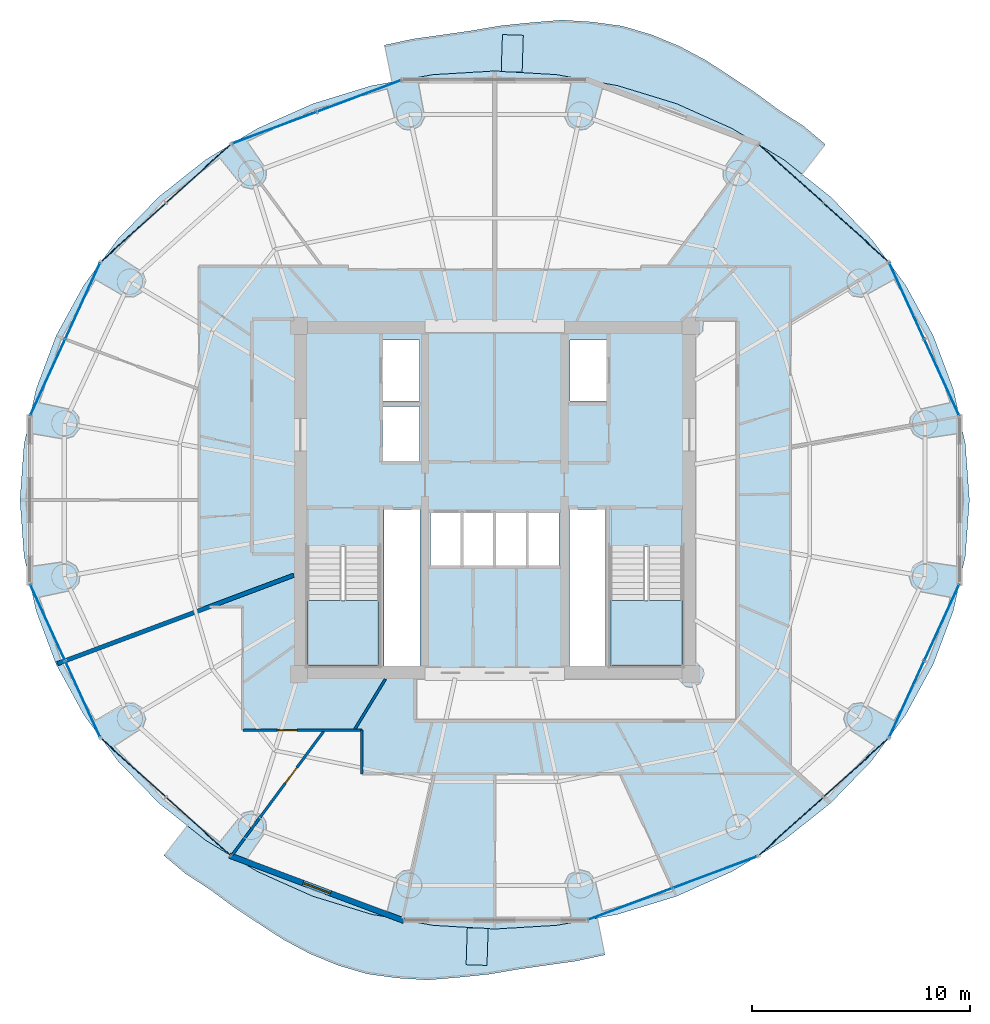
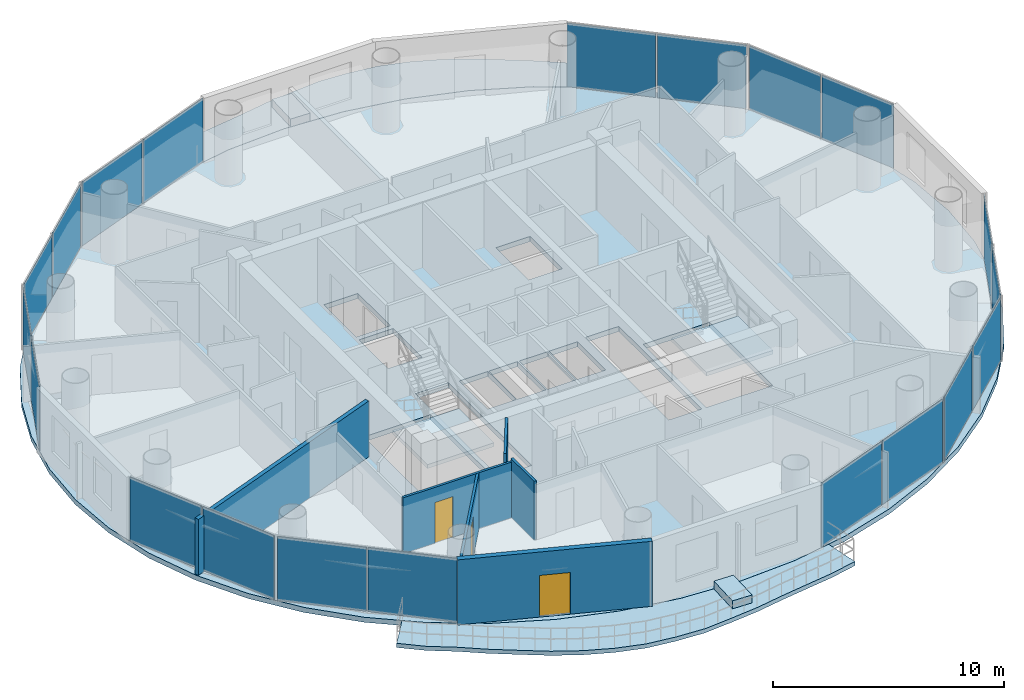
# One storey, part 19 of 26: 20 plates, 7 slabs, 6 walls, 3 doors, 3 openings, 12 elements without a shape of their own.
"""IFC4 building model written with IfcOpenShell, lengths in metres."""

from ifc_helpers import new_model, si_unit, direction, frame, frame_2d, origin, origin_2d, place, context, subcontext, project, spatial, polyline, rectangle, outline, extrude, source, transform, mapped, material, layer, layer_set, type_object, element, fill, aggregate, save


model = new_model("IFC4")

# Units and contexts
model_context = context("Model", 3, precision=1e-05, world=origin(), true_north=direction((-0.2419218956, 0.970295726276)))
body_context = subcontext(model_context, "Body", "Model", "MODEL_VIEW")
ifc_project = project(units=[si_unit("LENGTHUNIT", "METRE"), si_unit("AREAUNIT", "SQUARE_METRE"), si_unit("VOLUMEUNIT", "CUBIC_METRE"), si_unit("PLANEANGLEUNIT", "RADIAN"), si_unit("MASSUNIT", "GRAM", prefix="KILO")], contexts=[model_context])

# Site, building, storey
site_placement = place(None, origin())
site = spatial("IfcSite", under=ifc_project, at=site_placement, CompositionType="ELEMENT")
building_placement = place(site_placement, origin())
building = spatial("IfcBuilding", under=site, at=building_placement, Name="Cobrevalo Terracotta Tower", CompositionType="ELEMENT")
storey_placement = place(building_placement, frame((0.0, 0.0, 206.0)))
storey = spatial("IfcBuildingStorey", under=building, at=storey_placement, Name="L54", CompositionType="ELEMENT", Elevation=206.0)

# Stair, slab
ifc_material_1 = material(Name="Concrete C50", Category="concrete")
stair_type = type_object("IfcStairType", Name="Core protected escape dogleg stair 1600", PredefinedType="HALF_TURN_STAIR", material=ifc_material_1)
stair_1_placement = place(storey_placement, origin())
stair_1 = element("IfcStair", 1, at=stair_1_placement, inside=storey, type_object=stair_type, Name="L54 Protected exit stair ST-1", PredefinedType="HALF_TURN_STAIR")
ifc_layer_1 = layer(ifc_material_1, 0.199951171875)
ifc_layer_set_1 = layer_set([ifc_layer_1], Name="Concrete C50")
slab_type_1 = type_object("IfcSlabType", Name="Reinforced Concrete Stair Landing 200", PredefinedType="LANDING", material=ifc_layer_set_1)
slab_1_placement = place(storey_placement, frame((0.0, 0.0, 1.64990234375)))
slab_1 = element("IfcSlab", 2, at=slab_1_placement, type_object=slab_type_1, Name="ST-1 landing 1", PredefinedType="LANDING", context=body_context, shape_type="SweptSolid", body=[
    extrude(outline(polyline([(29.375, 22.179931640625), (29.375, 19.175048828125), (32.695068359375, 19.175048828125), (32.695068359375, 22.179931640625), (29.375, 22.179931640625)])), origin(), (0.0, 0.0, 1.0), 0.2001953125),
])
aggregate(stair_1, [slab_1])

stair_2_placement = place(storey_placement, origin())
stair_2 = element("IfcStair", 3, at=stair_2_placement, inside=storey, type_object=stair_type, Name="L54 Protected exit stair ST-2", PredefinedType="HALF_TURN_STAIR")
slab_2_placement = place(storey_placement, frame((0.0, 0.0, 1.64990234375)))
slab_2 = element("IfcSlab", 4, at=slab_2_placement, type_object=slab_type_1, Name="ST-2 landing 1", PredefinedType="LANDING", context=body_context, shape_type="SweptSolid", body=[
    extrude(outline(polyline([(43.304931640625, 22.179931640625), (43.304931640625, 19.175048828125), (46.625, 19.175048828125), (46.625, 22.179931640625), (43.304931640625, 22.179931640625)])), origin(), (0.0, 0.0, 1.0), 0.2001953125),
])
aggregate(stair_2, [slab_2])

# Slabs
ifc_material_2 = material(Name="Concrete C45", Category="concrete")
ifc_layer_2 = layer(ifc_material_2, 0.219970703125)
ifc_layer_set_2 = layer_set([ifc_layer_2], Name="Concrete C45")
slab_type_2 = type_object("IfcSlabType", Name="Spiralling cantilevered balcony lobe slab 220 mm", PredefinedType="FLOOR", material=ifc_layer_set_2)
slab_3_placement = place(storey_placement, frame((0.0, 0.0, -0.219970703125)))
element("IfcSlab", 5, at=slab_3_placement, inside=storey, type_object=slab_type_2, Name="L54 spiralling arc balcony slab lobe 1", PredefinedType="FLOOR", context=body_context, shape_type="SweptSolid", body=[
    extrude(outline(polyline([(53.1865234375, 43.128173828125), (52.181884765625, 43.970458984375), (51.071044921875, 44.691162109375), (49.994873046875, 45.484619140625), (48.864501953125, 46.23291015625), (47.708740234375, 46.984375), (46.48583984375, 47.63720703125), (45.19775390625, 48.1689453125), (43.86181640625, 48.563720703125), (42.474853515625, 48.754150390625), (41.082275390625, 48.843017578125), (39.680419921875, 48.72509765625), (38.299560546875, 48.585205078125), (36.940185546875, 48.354736328125), (35.59375, 48.160888671875), (34.257568359375, 47.973876953125), (32.93896484375, 47.6904296875), (33.279296875, 45.996337890625), (35.154296875, 46.33349609375), (38.0, 46.501953125), (40.845703125, 46.33349609375), (43.642822265625, 45.83056640625), (46.34326171875, 45.002197265625), (48.90087890625, 43.862548828125), (51.272216796875, 42.4306640625), (52.126220703125, 41.753662109375), (53.1865234375, 43.128173828125)])), origin(), (0.0, 0.0, 1.0), 0.219970703125),
])
slab_4_placement = place(storey_placement, frame((0.0, 0.0, -0.219970703125)))
element("IfcSlab", 6, at=slab_4_placement, inside=storey, type_object=slab_type_2, Name="L54 spiralling arc balcony slab lobe 2", PredefinedType="FLOOR", context=body_context, shape_type="SweptSolid", body=[
    extrude(outline(polyline([(22.8134765625, 10.471923828125), (23.818115234375, 9.62939453125), (24.928955078125, 8.908935546875), (26.005126953125, 8.115234375), (27.135498046875, 7.366943359375), (28.291259765625, 6.61572265625), (29.51416015625, 5.962890625), (30.80224609375, 5.430908203125), (32.13818359375, 5.0361328125), (33.525146484375, 4.845703125), (34.917724609375, 4.757080078125), (36.319580078125, 4.874755859375), (37.700439453125, 5.014892578125), (39.059814453125, 5.245361328125), (40.40625, 5.439208984375), (41.742431640625, 5.626220703125), (43.06103515625, 5.909423828125), (42.720703125, 7.603515625), (40.845703125, 7.2666015625), (38.0, 7.097900390625), (35.154296875, 7.2666015625), (32.357177734375, 7.769287109375), (29.65673828125, 8.59765625), (27.09912109375, 9.737548828125), (24.727783203125, 11.16943359375), (23.873779296875, 11.84619140625), (22.8134765625, 10.471923828125)])), origin(), (0.0, 0.0, 1.0), 0.219970703125),
])
ifc_material_3 = material(Name="Precast concrete C45", Category="concrete")
ifc_layer_3 = layer(ifc_material_3, 0.419921875)
ifc_layer_set_3 = layer_set([ifc_layer_3], Name="Precast concrete C45")
slab_type_3 = type_object("IfcSlabType", Name="Structural tree planter trough base 420 mm", PredefinedType="USERDEFINED", material=ifc_layer_set_3)
slab_5_placement = place(storey_placement, origin())
element("IfcSlab", 7, at=slab_5_placement, inside=storey, type_object=slab_type_3, Name="L54 structural tree planter trough 1", ObjectType="PLANTER", PredefinedType="USERDEFINED", context=body_context, shape_type="SweptSolid", body=[
    extrude(outline(polyline([(39.259033203125, 46.44189453125), (39.314208984375, 48.140869140625), (38.354736328125, 48.172119140625), (38.299560546875, 46.472900390625), (39.259033203125, 46.44189453125)])), origin(), (0.0, 0.0, 1.0), 0.419921875),
])
slab_6_placement = place(storey_placement, origin())
element("IfcSlab", 8, at=slab_6_placement, inside=storey, type_object=slab_type_3, Name="L54 structural tree planter trough 2", ObjectType="PLANTER", PredefinedType="USERDEFINED", context=body_context, shape_type="SweptSolid", body=[
    extrude(outline(polyline([(36.740966796875, 7.158203125), (36.685791015625, 5.458984375), (37.645263671875, 5.427978515625), (37.700439453125, 7.127197265625), (36.740966796875, 7.158203125)])), origin(), (0.0, 0.0, 1.0), 0.419921875),
])
ifc_layer_4 = layer(ifc_material_2, 0.264892578125)
ifc_layer_set_4 = layer_set([ifc_layer_4], Name="Concrete C45")
slab_type_4 = type_object("IfcSlabType", Name="Zone Z4 elliptical floor plate 265 mm", PredefinedType="FLOOR", material=ifc_layer_set_4)
slab_7_placement = place(storey_placement, frame((0.0, 0.0, -0.264892578125)))
element("IfcSlab", 9, at=slab_7_placement, inside=storey, type_object=slab_type_4, Name="L54 indoor elliptical floor slab", PredefinedType="FLOOR", context=body_context, shape_type="SweptSolid", body=[
    extrude(outline(polyline([(59.613525390625, 24.228515625), (59.05712890625, 21.701171875), (58.140625, 19.26123046875), (56.87939453125, 16.949951171875), (55.295166015625, 14.807373046875), (53.4150390625, 12.8701171875), (51.27099609375, 11.1708984375), (48.89990234375, 9.7392578125), (46.342529296875, 8.599609375), (43.642333984375, 7.771240234375), (40.845458984375, 7.2685546875), (38.0, 7.10009765625), (35.154541015625, 7.2685546875), (32.357666015625, 7.771240234375), (29.657470703125, 8.599609375), (27.10009765625, 9.7392578125), (24.72900390625, 11.1708984375), (22.5849609375, 12.8701171875), (20.704833984375, 14.807373046875), (19.12060546875, 16.949951171875), (17.859375, 19.26123046875), (16.94287109375, 21.701171875), (16.386474609375, 24.228515625), (16.199951171875, 26.800048828125), (16.386474609375, 29.371337890625), (16.94287109375, 31.898681640625), (17.859375, 34.3388671875), (19.12060546875, 36.64990234375), (20.704833984375, 38.79248046875), (22.5849609375, 40.72998046875), (24.72900390625, 42.428955078125), (27.10009765625, 43.860595703125), (29.657470703125, 45.00048828125), (32.357666015625, 45.828857421875), (35.154541015625, 46.33154296875), (38.0, 46.5), (40.845458984375, 46.33154296875), (43.642333984375, 45.828857421875), (46.342529296875, 45.00048828125), (48.89990234375, 43.860595703125), (51.27099609375, 42.428955078125), (53.4150390625, 40.72998046875), (55.295166015625, 38.79248046875), (56.87939453125, 36.64990234375), (58.140625, 34.3388671875), (59.05712890625, 31.898681640625), (59.613525390625, 29.371337890625), (59.800048828125, 26.800048828125), (59.613525390625, 24.228515625)]), holes=[polyline([(32.695068359375, 19.175048828125), (32.695068359375, 24.659912109375), (29.375, 24.659912109375), (29.375, 19.175048828125), (32.695068359375, 19.175048828125)]), polyline([(34.574951171875, 26.360107421875), (32.919921875, 26.360107421875), (32.919921875, 19.175048828125), (34.574951171875, 19.175048828125), (34.574951171875, 26.360107421875)]), polyline([(36.47998046875, 26.25), (35.050048828125, 26.25), (35.050048828125, 23.800048828125), (36.47998046875, 23.800048828125), (36.47998046875, 26.25)]), polyline([(37.9599609375, 23.800048828125), (37.9599609375, 26.25), (36.530029296875, 26.25), (36.530029296875, 23.800048828125), (37.9599609375, 23.800048828125)]), polyline([(34.550048828125, 28.60009765625), (34.550048828125, 31.10009765625), (32.85009765625, 31.10009765625), (32.85009765625, 28.60009765625), (34.550048828125, 28.60009765625)]), polyline([(34.550048828125, 34.14990234375), (32.85009765625, 34.14990234375), (32.85009765625, 31.35009765625), (34.550048828125, 31.35009765625), (34.550048828125, 34.14990234375)]), polyline([(43.304931640625, 19.175048828125), (46.625, 19.175048828125), (46.625, 24.659912109375), (43.304931640625, 24.659912109375), (43.304931640625, 19.175048828125)]), polyline([(43.080078125, 19.175048828125), (43.080078125, 26.360107421875), (41.425048828125, 26.360107421875), (41.425048828125, 19.175048828125), (43.080078125, 19.175048828125)]), polyline([(39.469970703125, 26.25), (38.0400390625, 26.25), (38.0400390625, 23.800048828125), (39.469970703125, 23.800048828125), (39.469970703125, 26.25)]), polyline([(40.949951171875, 23.800048828125), (40.949951171875, 26.25), (39.52001953125, 26.25), (39.52001953125, 23.800048828125), (40.949951171875, 23.800048828125)]), polyline([(43.14990234375, 31.35009765625), (43.14990234375, 34.14990234375), (41.449951171875, 34.14990234375), (41.449951171875, 31.35009765625), (43.14990234375, 31.35009765625)])]), origin(), (0.0, 0.0, 1.0), 0.264892578125),
])

# Curtain wall, plates
ifc_material_4 = material(Name="Anodized aluminium", Category="aluminium")
curtain_wall_type = type_object("IfcCurtainWallType", Name="Mid-tower high-wind unitised curtain wall CW-U2", PredefinedType="NOTDEFINED", material=ifc_material_4)
curtain_wall_1_placement = place(storey_placement, origin())
curtain_wall_1 = element("IfcCurtainWall", 10, at=curtain_wall_1_placement, inside=storey, type_object=curtain_wall_type, Name="L54 curtain wall CW-L54-S02", PredefinedType="NOTDEFINED")
ifc_material_5 = material(Name="Solar-control low-E double glazing", Category="glass")
ifc_layer_5 = layer(ifc_material_5, 0.028076171875)
ifc_layer_set_5 = layer_set([ifc_layer_5], Name="Solar-control low-E double glazing")
plate_type = type_object("IfcPlateType", Name="Tower solar-control low-E vision glass panel 28 mm", PredefinedType="CURTAIN_PANEL", material=ifc_layer_set_5)
shared_shape_1 = source(origin(), body_context, "Body", "SweptSolid", [
    extrude(rectangle(XDim=3.927490234375, YDim=0.035888671875, at=origin_2d()), origin(), (0.0, 0.0, 1.0), 3.35498046875),
])
plate_1_placement = place(storey_placement, frame((54.584716796875, 39.09814453125, 0.0400390625), z_axis=(0.0, 0.0, 1.0), x_axis=(-0.741987542015, 0.670413668935, 0.0)))
plate_1 = element("IfcPlate", 11, at=plate_1_placement, type_object=plate_type, Name="CW-L54-S02 glazing panel B01", PredefinedType="CURTAIN_PANEL", context=body_context, shape_type="MappedRepresentation", body=[
    mapped(shared_shape_1, transform((0.0, 0.0, 0.0), scale=1.0)),
])
plate_2_placement = place(storey_placement, frame((51.611083984375, 41.784912109375, 0.0400390625), z_axis=(0.0, 0.0, 1.0), x_axis=(-0.741987542015, 0.670413668935, 0.0)))
plate_2 = element("IfcPlate", 12, at=plate_2_placement, type_object=plate_type, Name="CW-L54-S02 glazing panel B02", PredefinedType="CURTAIN_PANEL", context=body_context, shape_type="MappedRepresentation", body=[
    mapped(shared_shape_1, transform((0.0, 0.0, 0.0), scale=1.0)),
])
aggregate(curtain_wall_1, [plate_1, plate_2])

curtain_wall_2_placement = place(storey_placement, origin())
curtain_wall_2 = element("IfcCurtainWall", 13, at=curtain_wall_2_placement, inside=storey, type_object=curtain_wall_type, Name="L54 curtain wall CW-L54-S06", PredefinedType="NOTDEFINED")
plate_3_placement = place(storey_placement, frame((24.388916015625, 41.784912109375, 0.0400390625), z_axis=(0.0, 0.0, 1.0), x_axis=(-0.741987542015, -0.670413668935, 0.0)))
plate_3 = element("IfcPlate", 14, at=plate_3_placement, type_object=plate_type, Name="CW-L54-S06 glazing panel B01", PredefinedType="CURTAIN_PANEL", context=body_context, shape_type="MappedRepresentation", body=[
    mapped(shared_shape_1, transform((0.0, 0.0, 0.0), scale=1.0)),
])
plate_4_placement = place(storey_placement, frame((21.415283203125, 39.09814453125, 0.0400390625), z_axis=(0.0, 0.0, 1.0), x_axis=(-0.741987542015, -0.670413668935, 0.0)))
plate_4 = element("IfcPlate", 15, at=plate_4_placement, type_object=plate_type, Name="CW-L54-S06 glazing panel B02", PredefinedType="CURTAIN_PANEL", context=body_context, shape_type="MappedRepresentation", body=[
    mapped(shared_shape_1, transform((0.0, 0.0, 0.0), scale=1.0)),
])
aggregate(curtain_wall_2, [plate_3, plate_4])

curtain_wall_3_placement = place(storey_placement, origin())
curtain_wall_3 = element("IfcCurtainWall", 16, at=curtain_wall_3_placement, inside=storey, type_object=curtain_wall_type, Name="L54 curtain wall CW-L54-S10", PredefinedType="NOTDEFINED")
plate_5_placement = place(storey_placement, frame((21.415283203125, 14.501708984375, 0.0400390625), z_axis=(0.0, 0.0, 1.0), x_axis=(0.741987542015, -0.670413668935, 0.0)))
plate_5 = element("IfcPlate", 17, at=plate_5_placement, type_object=plate_type, Name="CW-L54-S10 glazing panel B01", PredefinedType="CURTAIN_PANEL", context=body_context, shape_type="MappedRepresentation", body=[
    mapped(shared_shape_1, transform((0.0, 0.0, 0.0), scale=1.0)),
])
plate_6_placement = place(storey_placement, frame((24.388916015625, 11.815185546875, 0.0400390625), z_axis=(0.0, 0.0, 1.0), x_axis=(0.741987542015, -0.670413668935, 0.0)))
plate_6 = element("IfcPlate", 18, at=plate_6_placement, type_object=plate_type, Name="CW-L54-S10 glazing panel B02", PredefinedType="CURTAIN_PANEL", context=body_context, shape_type="MappedRepresentation", body=[
    mapped(shared_shape_1, transform((0.0, 0.0, 0.0), scale=1.0)),
])
aggregate(curtain_wall_3, [plate_5, plate_6])

curtain_wall_4_placement = place(storey_placement, origin())
curtain_wall_4 = element("IfcCurtainWall", 19, at=curtain_wall_4_placement, inside=storey, type_object=curtain_wall_type, Name="L54 curtain wall CW-L54-S14", PredefinedType="NOTDEFINED")
plate_7_placement = place(storey_placement, frame((51.611083984375, 11.815185546875, 0.0400390625), z_axis=(0.0, 0.0, 1.0), x_axis=(0.741987542015, 0.670413668935, 0.0)))
plate_7 = element("IfcPlate", 20, at=plate_7_placement, type_object=plate_type, Name="CW-L54-S14 glazing panel B01", PredefinedType="CURTAIN_PANEL", context=body_context, shape_type="MappedRepresentation", body=[
    mapped(shared_shape_1, transform((0.0, 0.0, 0.0), scale=1.0)),
])
plate_8_placement = place(storey_placement, frame((54.584716796875, 14.501708984375, 0.0400390625), z_axis=(0.0, 0.0, 1.0), x_axis=(0.741987542015, 0.670413668935, 0.0)))
plate_8 = element("IfcPlate", 21, at=plate_8_placement, type_object=plate_type, Name="CW-L54-S14 glazing panel B02", PredefinedType="CURTAIN_PANEL", context=body_context, shape_type="MappedRepresentation", body=[
    mapped(shared_shape_1, transform((0.0, 0.0, 0.0), scale=1.0)),
])
aggregate(curtain_wall_4, [plate_7, plate_8])

curtain_wall_5_placement = place(storey_placement, origin())
curtain_wall_5 = element("IfcCurtainWall", 22, at=curtain_wall_5_placement, inside=storey, type_object=curtain_wall_type, Name="L54 curtain wall CW-L54-S01", PredefinedType="NOTDEFINED")
shared_shape_2 = source(origin(), body_context, "Body", "SweptSolid", [
    extrude(rectangle(XDim=3.780029296875, YDim=0.035888671875, at=origin_2d()), origin(), (0.0, 0.0, 1.0), 3.35498046875),
])
plate_9_placement = place(storey_placement, frame((58.53076171875, 32.42822265625, 0.0400390625), z_axis=(0.0, 0.0, 1.0), x_axis=(-0.416731425355, 0.909029657999, 0.0)))
plate_9 = element("IfcPlate", 23, at=plate_9_placement, type_object=plate_type, Name="CW-L54-S01 glazing panel B01", PredefinedType="CURTAIN_PANEL", context=body_context, shape_type="MappedRepresentation", body=[
    mapped(shared_shape_2, transform((0.0, 0.0, 0.0), scale=1.0)),
])
plate_10_placement = place(storey_placement, frame((56.922119140625, 35.937255859375, 0.0400390625), z_axis=(0.0, 0.0, 1.0), x_axis=(-0.416731425355, 0.909029657999, 0.0)))
plate_10 = element("IfcPlate", 24, at=plate_10_placement, type_object=plate_type, Name="CW-L54-S01 glazing panel B02", PredefinedType="CURTAIN_PANEL", context=body_context, shape_type="MappedRepresentation", body=[
    mapped(shared_shape_2, transform((0.0, 0.0, 0.0), scale=1.0)),
])
aggregate(curtain_wall_5, [plate_9, plate_10])

curtain_wall_6_placement = place(storey_placement, origin())
curtain_wall_6 = element("IfcCurtainWall", 25, at=curtain_wall_6_placement, inside=storey, type_object=curtain_wall_type, Name="L54 curtain wall CW-L54-S07", PredefinedType="NOTDEFINED")
plate_11_placement = place(storey_placement, frame((19.077880859375, 35.937255859375, 0.0400390625), z_axis=(0.0, 0.0, 1.0), x_axis=(-0.416731425355, -0.909029657999, 0.0)))
plate_11 = element("IfcPlate", 26, at=plate_11_placement, type_object=plate_type, Name="CW-L54-S07 glazing panel B01", PredefinedType="CURTAIN_PANEL", context=body_context, shape_type="MappedRepresentation", body=[
    mapped(shared_shape_2, transform((0.0, 0.0, 0.0), scale=1.0)),
])
plate_12_placement = place(storey_placement, frame((17.46923828125, 32.42822265625, 0.0400390625), z_axis=(0.0, 0.0, 1.0), x_axis=(-0.416731425355, -0.909029657999, 0.0)))
plate_12 = element("IfcPlate", 27, at=plate_12_placement, type_object=plate_type, Name="CW-L54-S07 glazing panel B02", PredefinedType="CURTAIN_PANEL", context=body_context, shape_type="MappedRepresentation", body=[
    mapped(shared_shape_2, transform((0.0, 0.0, 0.0), scale=1.0)),
])
aggregate(curtain_wall_6, [plate_11, plate_12])

curtain_wall_7_placement = place(storey_placement, origin())
curtain_wall_7 = element("IfcCurtainWall", 28, at=curtain_wall_7_placement, inside=storey, type_object=curtain_wall_type, Name="L54 curtain wall CW-L54-S09", PredefinedType="NOTDEFINED")
plate_13_placement = place(storey_placement, frame((17.46923828125, 21.171630859375, 0.0400390625), z_axis=(0.0, 0.0, 1.0), x_axis=(0.416731425355, -0.909029657999, 0.0)))
plate_13 = element("IfcPlate", 29, at=plate_13_placement, type_object=plate_type, Name="CW-L54-S09 glazing panel B01", PredefinedType="CURTAIN_PANEL", context=body_context, shape_type="MappedRepresentation", body=[
    mapped(shared_shape_2, transform((0.0, 0.0, 0.0), scale=1.0)),
])
plate_14_placement = place(storey_placement, frame((19.077880859375, 17.662841796875, 0.0400390625), z_axis=(0.0, 0.0, 1.0), x_axis=(0.416731425355, -0.909029657999, 0.0)))
plate_14 = element("IfcPlate", 30, at=plate_14_placement, type_object=plate_type, Name="CW-L54-S09 glazing panel B02", PredefinedType="CURTAIN_PANEL", context=body_context, shape_type="MappedRepresentation", body=[
    mapped(shared_shape_2, transform((0.0, 0.0, 0.0), scale=1.0)),
])
aggregate(curtain_wall_7, [plate_13, plate_14])

curtain_wall_8_placement = place(storey_placement, origin())
curtain_wall_8 = element("IfcCurtainWall", 31, at=curtain_wall_8_placement, inside=storey, type_object=curtain_wall_type, Name="L54 curtain wall CW-L54-S15", PredefinedType="NOTDEFINED")
plate_15_placement = place(storey_placement, frame((56.922119140625, 17.662841796875, 0.0400390625), z_axis=(0.0, 0.0, 1.0), x_axis=(0.416731425355, 0.909029657999, 0.0)))
plate_15 = element("IfcPlate", 32, at=plate_15_placement, type_object=plate_type, Name="CW-L54-S15 glazing panel B01", PredefinedType="CURTAIN_PANEL", context=body_context, shape_type="MappedRepresentation", body=[
    mapped(shared_shape_2, transform((0.0, 0.0, 0.0), scale=1.0)),
])
plate_16_placement = place(storey_placement, frame((58.53076171875, 21.171630859375, 0.0400390625), z_axis=(0.0, 0.0, 1.0), x_axis=(0.416731425355, 0.909029657999, 0.0)))
plate_16 = element("IfcPlate", 33, at=plate_16_placement, type_object=plate_type, Name="CW-L54-S15 glazing panel B02", PredefinedType="CURTAIN_PANEL", context=body_context, shape_type="MappedRepresentation", body=[
    mapped(shared_shape_2, transform((0.0, 0.0, 0.0), scale=1.0)),
])
aggregate(curtain_wall_8, [plate_15, plate_16])

curtain_wall_9_placement = place(storey_placement, origin())
curtain_wall_9 = element("IfcCurtainWall", 34, at=curtain_wall_9_placement, inside=storey, type_object=curtain_wall_type, Name="L54 curtain wall CW-L54-S05", PredefinedType="NOTDEFINED")
shared_shape_3 = source(origin(), body_context, "Body", "SweptSolid", [
    extrude(rectangle(XDim=4.069580078125, YDim=0.035888671875, at=origin_2d()), origin(), (0.0, 0.0, 1.0), 3.35498046875),
])
plate_17_placement = place(storey_placement, frame((31.772216796875, 45.350830078125, 0.0400390625), z_axis=(0.0, 0.0, 1.0), x_axis=(-0.936557839879, -0.350513070458, 0.0)))
plate_17 = element("IfcPlate", 35, at=plate_17_placement, type_object=plate_type, Name="CW-L54-S05 glazing panel B01", PredefinedType="CURTAIN_PANEL", context=body_context, shape_type="MappedRepresentation", body=[
    mapped(shared_shape_3, transform((0.0, 0.0, 0.0), scale=1.0)),
])
plate_18_placement = place(storey_placement, frame((27.885986328125, 43.896240234375, 0.0400390625), z_axis=(0.0, 0.0, 1.0), x_axis=(-0.936557839879, -0.350513070458, 0.0)))
plate_18 = element("IfcPlate", 36, at=plate_18_placement, type_object=plate_type, Name="CW-L54-S05 glazing panel B02", PredefinedType="CURTAIN_PANEL", context=body_context, shape_type="MappedRepresentation", body=[
    mapped(shared_shape_3, transform((0.0, 0.0, 0.0), scale=1.0)),
])
aggregate(curtain_wall_9, [plate_17, plate_18])

curtain_wall_10_placement = place(storey_placement, origin())
curtain_wall_10 = element("IfcCurtainWall", 37, at=curtain_wall_10_placement, inside=storey, type_object=curtain_wall_type, Name="L54 curtain wall CW-L54-S13", PredefinedType="NOTDEFINED")
plate_19_placement = place(storey_placement, frame((44.227783203125, 8.249267578125, 0.0400390625), z_axis=(0.0, 0.0, 1.0), x_axis=(0.936557839879, 0.350513070458, 0.0)))
plate_19 = element("IfcPlate", 38, at=plate_19_placement, type_object=plate_type, Name="CW-L54-S13 glazing panel B01", PredefinedType="CURTAIN_PANEL", context=body_context, shape_type="MappedRepresentation", body=[
    mapped(shared_shape_3, transform((0.0, 0.0, 0.0), scale=1.0)),
])
plate_20_placement = place(storey_placement, frame((48.114013671875, 9.70361328125, 0.0400390625), z_axis=(0.0, 0.0, 1.0), x_axis=(0.936557839879, 0.350513070458, 0.0)))
plate_20 = element("IfcPlate", 39, at=plate_20_placement, type_object=plate_type, Name="CW-L54-S13 glazing panel B02", PredefinedType="CURTAIN_PANEL", context=body_context, shape_type="MappedRepresentation", body=[
    mapped(shared_shape_3, transform((0.0, 0.0, 0.0), scale=1.0)),
])
aggregate(curtain_wall_10, [plate_19, plate_20])

# Wall
ifc_material_6 = material(Name="Autoclaved aerated concrete block", Category="concrete")
ifc_layer_6 = layer(ifc_material_6, 0.199951171875)
ifc_layer_set_6 = layer_set([ifc_layer_6], Name="Autoclaved aerated concrete block")
wall_type_1 = type_object("IfcWallType", Name="Fire-rated stair, shaft & demising masonry wall 200 mm", PredefinedType="PARTITIONING", material=ifc_layer_set_6)
wall_1_placement = place(storey_placement, frame((28.77490234375, 23.346923828125, 0.0), z_axis=(0.0, 0.0, 1.0), x_axis=(-0.936537569358, -0.350567227761, 0.0)))
element("IfcWall", 40, at=wall_1_placement, inside=storey, type_object=wall_type_1, Name="L54 interior partition IW-L54-DEM-2", PredefinedType="PARTITIONING", context=body_context, shape_type="SweptSolid", body=[
    extrude(rectangle(XDim=11.593994140625, YDim=0.199951171875, at=frame_2d((5.796875, 0.0))), origin(), (0.0, 0.0, 1.0), 2.950927734375),
])

# Wall, opening, door
ifc_layer_7 = layer(ifc_material_6, 0.260009765625)
ifc_layer_set_7 = layer_set([ifc_layer_7], Name="Autoclaved aerated concrete block")
wall_type_2 = type_object("IfcWallType", Name="Recessed balcony loggia insulated exterior wall 260 mm", PredefinedType="SOLIDWALL", material=ifc_layer_set_7)
wall_2_placement = place(storey_placement, frame((25.830322265625, 10.47314453125, 0.0), z_axis=(0.0, 0.0, 1.0), x_axis=(0.936556918375, -0.350515532672, 0.0)))
wall_2 = element("IfcWall", 41, at=wall_2_placement, inside=storey, type_object=wall_type_2, Name="L54 balcony loggia wall S11", PredefinedType="SOLIDWALL", context=body_context, shape_type="SweptSolid", body=[
    extrude(rectangle(XDim=8.539306640625, YDim=0.260009765625, at=frame_2d((4.26953125, 0.0))), origin(), (0.0, 0.0, 1.0), 3.43505859375),
])
opening_1_placement = place(wall_2_placement, frame((3.594482421875, 0.0, 0.0)))
opening_1 = element("IfcOpeningElement", 42, at=opening_1_placement, cuts=wall_2, Name="Opening ED-05", PredefinedType="OPENING", context=body_context, shape_type="SweptSolid", body=[
    extrude(rectangle(XDim=1.35009765625, YDim=2.199951171875, at=frame_2d((0.675048828125, 1.10009765625))), frame((0.0, 0.14013671875, 0.0), z_axis=(0.0, -1.0, 0.0), x_axis=(1.0, 0.0, 0.0)), (0.0, 0.0, 1.0), 0.280029296875),
])
ifc_material_7 = material(Name="Anodized aluminium and laminated glass", Category="aluminium")
door_type_1 = type_object("IfcDoorType", Name="Suite balcony acoustic glazed terrace door 1350x2200", OperationType="NOTDEFINED", PredefinedType="DOOR", material=ifc_material_7)
shared_shape_4 = source(origin(), body_context, "Body", "SweptSolid", [
    extrude(rectangle(XDim=1.35009765625, YDim=2.199951171875, at=frame_2d((0.675048828125, 1.10009765625))), frame((0.0, 0.02490234375, 0.0), z_axis=(0.0, -1.0, 0.0), x_axis=(1.0, 0.0, 0.0)), (0.0, 0.0, 1.0), 0.050048828125),
])
door_1_placement = place(opening_1_placement, frame((1.35009765625, 0.0, 0.0), z_axis=(0.0, 0.0, 1.0), x_axis=(-1.0, 0.0, 0.0)))
door_1 = element("IfcDoor", 43, at=door_1_placement, inside=storey, type_object=door_type_1, Name="L54 glazed balcony terrace door 2", OperationType="SINGLE_SWING_RIGHT", OverallHeight=2.199951171875, OverallWidth=1.35009765625, PredefinedType="DOOR", context=body_context, shape_type="MappedRepresentation", body=[
    mapped(shared_shape_4, transform((0.0, 0.0, 0.0), scale=1.0)),
])
fill(opening_1, door_1)

# Wall
ifc_material_8 = material(Name="Gypsum board on steel stud", Category="steel")
ifc_layer_8 = layer(ifc_material_8, 0.1201171875)
ifc_layer_set_8 = layer_set([ifc_layer_8], Name="Gypsum board on steel stud")
wall_type_3 = type_object("IfcWallType", Name="Residential internal acoustic stud partition 120 mm", PredefinedType="PARTITIONING", material=ifc_layer_set_8)
wall_3_placement = place(storey_placement, frame((31.89990234375, 14.22509765625, 0.0), z_axis=(0.0, 0.0, 1.0), x_axis=(0.0, 1.0, 0.0)))
element("IfcWall", 44, at=wall_3_placement, inside=storey, type_object=wall_type_3, Name="L54 interior partition IW-L54-U2-RING2_0", PredefinedType="PARTITIONING", context=body_context, shape_type="SweptSolid", body=[
    extrude(rectangle(XDim=2.010009765625, YDim=0.1201171875, at=frame_2d((1.0048828125, 0.0))), origin(), (0.0, 0.0, 1.0), 3.110107421875),
])

# Wall, opening, door
wall_4_placement = place(storey_placement, frame((31.89990234375, 16.235107421875, 0.0), z_axis=(0.0, 0.0, 1.0), x_axis=(-1.0, 0.0, 0.0)))
wall_4 = element("IfcWall", 45, at=wall_4_placement, inside=storey, type_object=wall_type_3, Name="L54 interior partition IW-L54-U2-RING3_0", PredefinedType="PARTITIONING", context=body_context, shape_type="SweptSolid", body=[
    extrude(rectangle(XDim=5.46484375, YDim=0.1201171875, at=frame_2d((2.732421875, 0.0))), origin(), (0.0, 0.0, 1.0), 2.950927734375),
])
opening_2_placement = place(wall_4_placement, frame((2.978515625, 0.0, 0.0)))
opening_2 = element("IfcOpeningElement", 46, at=opening_2_placement, cuts=wall_4, Name="Opening ID-12", PredefinedType="OPENING", context=body_context, shape_type="SweptSolid", body=[
    extrude(rectangle(XDim=0.89990234375, YDim=2.14990234375, at=frame_2d((0.449951171875, 1.074951171875))), frame((0.0, 0.070068359375, 0.0), z_axis=(0.0, -1.0, 0.0), x_axis=(1.0, 0.0, 0.0)), (0.0, 0.0, 1.0), 0.14013671875),
])
ifc_material_9 = material(Name="Engineered timber", Category="wood")
door_type_2 = type_object("IfcDoorType", Name="Internal residence & suite timber door 900x2150", OperationType="NOTDEFINED", PredefinedType="DOOR", material=ifc_material_9)
shared_shape_5 = source(origin(), body_context, "Body", "SweptSolid", [
    extrude(rectangle(XDim=0.89990234375, YDim=2.14990234375, at=frame_2d((0.449951171875, 1.074951171875))), frame((0.0, 0.02490234375, 0.0), z_axis=(0.0, -1.0, 0.0), x_axis=(1.0, 0.0, 0.0)), (0.0, 0.0, 1.0), 0.050048828125),
])
door_2_placement = place(opening_2_placement, frame((0.89990234375, 0.0, 0.0), z_axis=(0.0, 0.0, 1.0), x_axis=(-1.0, 0.0, 0.0)))
door_2 = element("IfcDoor", 47, at=door_2_placement, inside=storey, type_object=door_type_2, Name="Flat L54B Utility Closet internal door", OperationType="SINGLE_SWING_LEFT", OverallHeight=2.14990234375, OverallWidth=0.89990234375, PredefinedType="DOOR", context=body_context, shape_type="MappedRepresentation", body=[
    mapped(shared_shape_5, transform((0.0, 0.0, 0.0), scale=1.0)),
])
fill(opening_2, door_2)

wall_5_placement = place(storey_placement, frame((30.1513671875, 16.18505859375, 0.0), z_axis=(0.0, 0.0, 1.0), x_axis=(-0.594540664599, -0.804065543434, 0.0)))
wall_5 = element("IfcWall", 48, at=wall_5_placement, inside=storey, type_object=wall_type_3, Name="L54 interior partition IW-L54-U2-ORAD1", PredefinedType="PARTITIONING", context=body_context, shape_type="SweptSolid", body=[
    extrude(rectangle(XDim=7.06591796875, YDim=0.1201171875, at=frame_2d((3.532958984375, 0.0))), origin(), (0.0, 0.0, 1.0), 2.950927734375),
])
opening_3_placement = place(wall_5_placement, frame((2.07470703125, 0.0, 0.0)))
opening_3 = element("IfcOpeningElement", 49, at=opening_3_placement, cuts=wall_5, Name="Opening ID-12", PredefinedType="OPENING", context=body_context, shape_type="SweptSolid", body=[
    extrude(rectangle(XDim=0.89990234375, YDim=2.14990234375, at=frame_2d((0.449951171875, 1.074951171875))), frame((0.0, 0.070068359375, 0.0), z_axis=(0.0, -1.0, 0.0), x_axis=(1.0, 0.0, 0.0)), (0.0, 0.0, 1.0), 0.14013671875),
])
door_3_placement = place(opening_3_placement, frame((0.89990234375, 0.0, 0.0), z_axis=(0.0, 0.0, 1.0), x_axis=(-1.0, 0.0, 0.0)))
door_3 = element("IfcDoor", 50, at=door_3_placement, inside=storey, type_object=door_type_2, Name="Flat L54B Living and Dining Room internal door", OperationType="SINGLE_SWING_LEFT", OverallHeight=2.14990234375, OverallWidth=0.89990234375, PredefinedType="DOOR", context=body_context, shape_type="MappedRepresentation", body=[
    mapped(shared_shape_5, transform((0.0, 0.0, 0.0), scale=1.0)),
])
fill(opening_3, door_3)

# Wall
wall_6_placement = place(storey_placement, frame((32.980712890625, 18.574951171875, 0.0), z_axis=(0.0, 0.0, 1.0), x_axis=(-0.520926540997, -0.853601510592, 0.0)))
element("IfcWall", 51, at=wall_6_placement, inside=storey, type_object=wall_type_3, Name="L54 interior partition IW-L54-U2-IRAD2", PredefinedType="PARTITIONING", context=body_context, shape_type="SweptSolid", body=[
    extrude(rectangle(XDim=2.679443359375, YDim=0.1201171875, at=frame_2d((1.33984375, 0.0))), origin(), (0.0, 0.0, 1.0), 3.43505859375),
])

save(model, "model.ifc")
